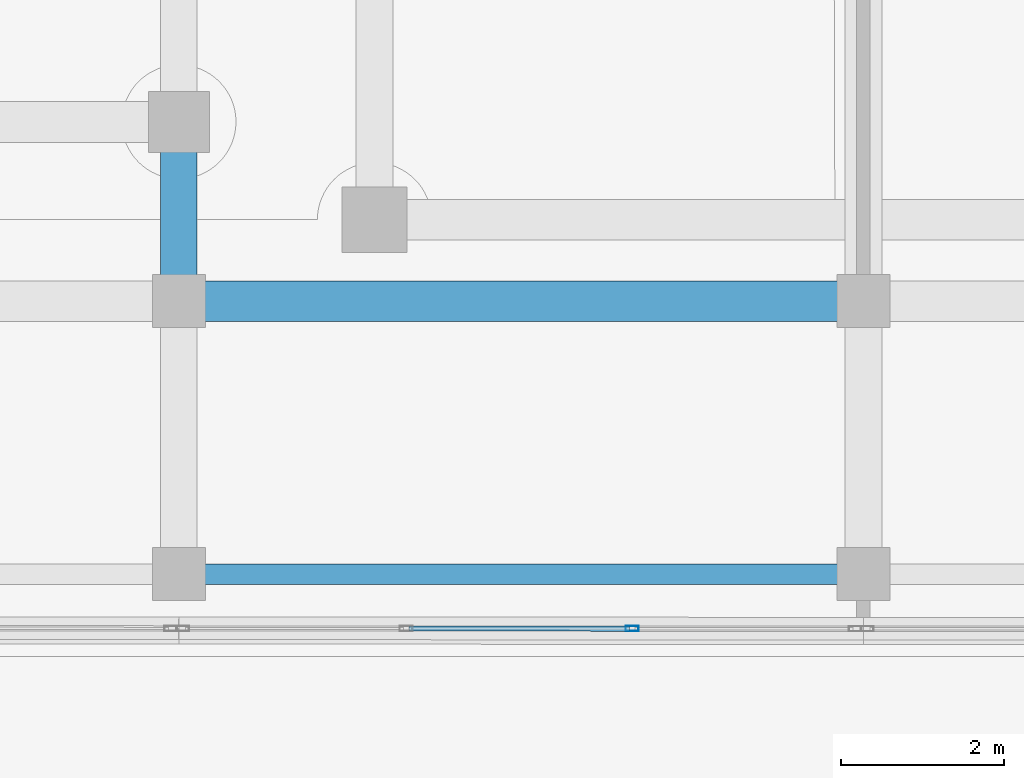
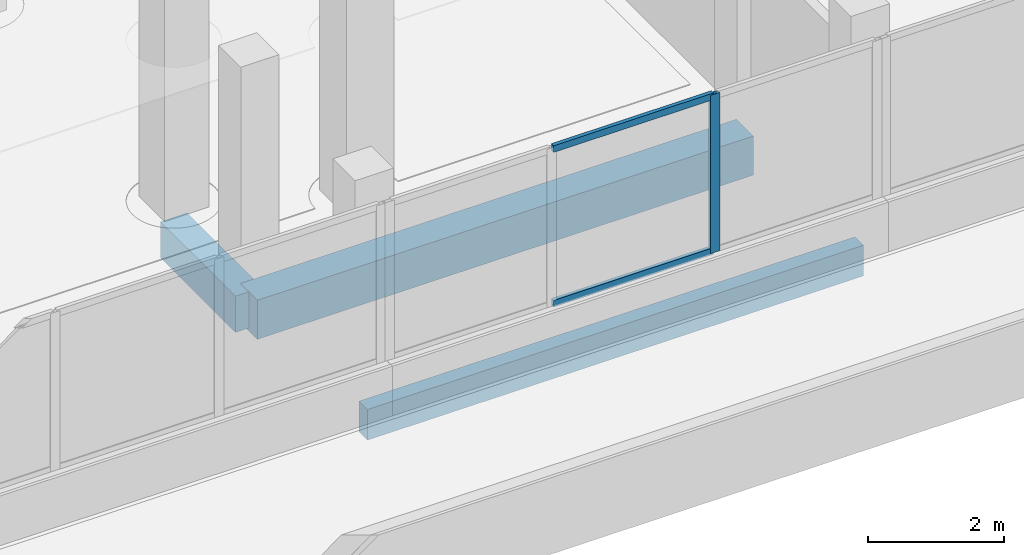
# One storey, part 7 of 78: 3 beams, 3 members, 1 element without a shape of its own.
"""IFC4 building model written with IfcOpenShell, lengths in metres."""

from ifc_helpers import new_model, si_unit, direction, frame, origin, origin_2d, place, context, subcontext, project, spatial, rectangle, hollow_rectangle, extrude, material, material_profile, profile_set, type_object, element, aggregate, save


model = new_model("IFC4")

# Units and contexts
model_context = context("Model", 3, precision=1e-05, world=origin(), true_north=direction((0.0, 1.0)))
body_context = subcontext(model_context, "Body", "Model", "MODEL_VIEW")
ifc_project = project(units=[si_unit("LENGTHUNIT", "METRE"), si_unit("AREAUNIT", "SQUARE_METRE"), si_unit("VOLUMEUNIT", "CUBIC_METRE"), si_unit("PLANEANGLEUNIT", "RADIAN"), si_unit("MASSUNIT", "GRAM", prefix="KILO")], contexts=[model_context])

# Site, building, storey
site_placement = place(None, origin())
site = spatial("IfcSite", under=ifc_project, at=site_placement, CompositionType="ELEMENT")
building_placement = place(site_placement, origin())
building = spatial("IfcBuilding", under=site, at=building_placement, Name="Selatvlak General Hospital", CompositionType="ELEMENT")
storey_placement = place(building_placement, frame((0.0, 0.0, 23.25)))
storey = spatial("IfcBuildingStorey", under=building, at=storey_placement, Name="L05", CompositionType="ELEMENT", Elevation=23.25)

# Beams
ifc_material_1 = material(Name="Concrete C40/50", Category="concrete")
ifc_material_profile_1 = material_profile(ifc_material_1, rectangle(XDim=0.5, YDim=0.699951171875, at=origin_2d()), Name="RC-BM 500x700")
ifc_profile_set_1 = profile_set([ifc_material_profile_1], Name="Concrete C40/50")
beam_type_1 = type_object("IfcBeamType", Name="BM-G03", PredefinedType="BEAM", material=ifc_profile_set_1)
beam_1_placement = place(storey_placement, frame((56.39990234375, 92.0, -0.6298828125), z_axis=(1.0, 0.0, 0.0), x_axis=(0.0, 1.0, 0.0)))
element("IfcBeam", 1, at=beam_1_placement, inside=storey, type_object=beam_type_1, Name="Beam BMR-L05-1906", PredefinedType="BEAM", context=body_context, shape_type="SweptSolid", body=[
    extrude(rectangle(XDim=0.5, YDim=0.699951171875, at=origin_2d()), origin(), (0.0, 0.0, 1.0), 8.400146484375),
])
ifc_material_profile_2 = material_profile(ifc_material_1, rectangle(XDim=0.449951171875, YDim=0.64990234375, at=origin_2d()), Name="RC-BM 450x650")
ifc_profile_set_2 = profile_set([ifc_material_profile_2], Name="Concrete C40/50")
beam_type_2 = type_object("IfcBeamType", Name="BM-G04", PredefinedType="BEAM", material=ifc_profile_set_2)
beam_2_placement = place(storey_placement, frame((56.39990234375, 92.0, -0.60498046875), z_axis=(0.0, 1.0, 0.0), x_axis=(-1.0, 0.0, 0.0)))
element("IfcBeam", 2, at=beam_2_placement, inside=storey, type_object=beam_type_2, Name="Beam BMR-L05-2004", PredefinedType="BEAM", context=body_context, shape_type="SweptSolid", body=[
    extrude(rectangle(XDim=0.449951171875, YDim=0.64990234375, at=origin_2d()), origin(), (0.0, 0.0, 1.0), 2.199951171875),
])
ifc_material_profile_3 = material_profile(ifc_material_1, rectangle(XDim=0.25, YDim=0.550048828125, at=origin_2d()), Name="RC-SP 250x550")
ifc_profile_set_3 = profile_set([ifc_material_profile_3], Name="Concrete C40/50")
beam_type_3 = type_object("IfcBeamType", Name="BM-SP2", PredefinedType="SPANDREL", material=ifc_profile_set_3)
beam_3_placement = place(storey_placement, frame((56.39990234375, 88.64990234375, -0.554931640625), z_axis=(1.0, 0.0, 0.0), x_axis=(0.0, 1.0, 0.0)))
element("IfcBeam", 3, at=beam_3_placement, inside=storey, type_object=beam_type_3, Name="Beam BMR-L05-1886", PredefinedType="SPANDREL", context=body_context, shape_type="SweptSolid", body=[
    extrude(rectangle(XDim=0.25, YDim=0.550048828125, at=origin_2d()), origin(), (0.0, 0.0, 1.0), 8.400146484375),
])

# Curtain wall, members
ifc_material_2 = material(Name="Solar-control Low-E double glazing", Category="glass")
curtain_wall_type = type_object("IfcCurtainWallType", Name="CW-CW-01", PredefinedType="USERDEFINED", material=ifc_material_2)
curtain_wall_placement = place(storey_placement, origin())
curtain_wall = element("IfcCurtainWall", 4, at=curtain_wall_placement, inside=storey, type_object=curtain_wall_type, Name="Glazed facade curtain wall CW-L05-0589", ObjectType="UNITISED CURTAIN WALL", PredefinedType="USERDEFINED")
ifc_material_3 = material(Name="Dark anodised aluminium mullion", Category="aluminium")
ifc_material_profile_4 = material_profile(ifc_material_3, hollow_rectangle(XDim=0.06494140625, YDim=0.159912109375, WallThickness=0.00390625, at=origin_2d()), Name="AL-MUL 65x160x4")
ifc_profile_set_4 = profile_set([ifc_material_profile_4], Name="Dark anodised aluminium mullion")
member_type_1 = type_object("IfcMemberType", Name="CWM-01", PredefinedType="MULLION", material=ifc_profile_set_4)
member_1_placement = place(storey_placement, frame((61.961669921875, 87.9814453125, 0.93994140625), z_axis=(0.0, 0.0, 1.0), x_axis=(-0.00048076918, -0.99999988443, 0.0)))
member_1 = element("IfcMember", 5, at=member_1_placement, type_object=member_type_1, Name="CW-01 mullion 2", PredefinedType="MULLION", context=body_context, shape_type="SweptSolid", body=[
    extrude(hollow_rectangle(XDim=0.06494140625, YDim=0.159912109375, WallThickness=0.00390625, at=origin_2d()), origin(), (0.0, 0.0, 1.0), 2.8349609375),
])
ifc_material_profile_5 = material_profile(ifc_material_3, hollow_rectangle(XDim=0.06494140625, YDim=0.1201171875, WallThickness=0.00390625, at=origin_2d()), Name="AL-TRN 65x120x4")
ifc_profile_set_5 = profile_set([ifc_material_profile_5], Name="Dark anodised aluminium mullion")
member_type_2 = type_object("IfcMemberType", Name="CWT-01", PredefinedType="USERDEFINED", material=ifc_profile_set_5)
member_2_placement = place(storey_placement, frame((61.92919921875, 87.9814453125, 0.972412109375), z_axis=(-0.999999898419, 0.000450734652, 0.0), x_axis=(-0.000450734652, -0.999999898419, 0.0)))
member_2 = element("IfcMember", 6, at=member_2_placement, type_object=member_type_2, Name="CW-01 transom 2.1", ObjectType="TRANSOM", PredefinedType="USERDEFINED", context=body_context, shape_type="SweptSolid", body=[
    extrude(hollow_rectangle(XDim=0.06494140625, YDim=0.1201171875, WallThickness=0.00390625, at=origin_2d()), origin(), (0.0, 0.0, 1.0), 2.708251953125),
])
member_3_placement = place(storey_placement, frame((61.92919921875, 87.9814453125, 3.742431640625), z_axis=(-0.999999898419, 0.000450734652, 0.0), x_axis=(-0.000450734652, -0.999999898419, 0.0)))
member_3 = element("IfcMember", 7, at=member_3_placement, type_object=member_type_2, Name="CW-01 transom 2.2", ObjectType="TRANSOM", PredefinedType="USERDEFINED", context=body_context, shape_type="SweptSolid", body=[
    extrude(hollow_rectangle(XDim=0.06494140625, YDim=0.1201171875, WallThickness=0.00390625, at=origin_2d()), origin(), (0.0, 0.0, 1.0), 2.708251953125),
])
aggregate(curtain_wall, [member_1, member_2, member_3])

save(model, "model.ifc")
